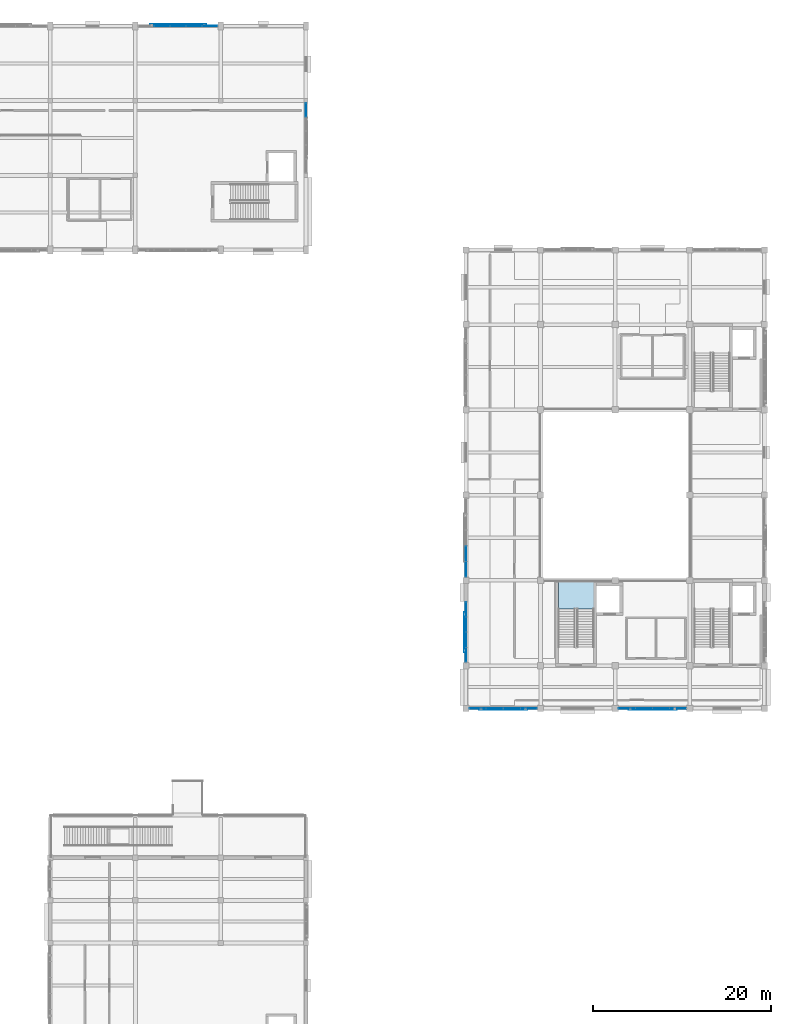
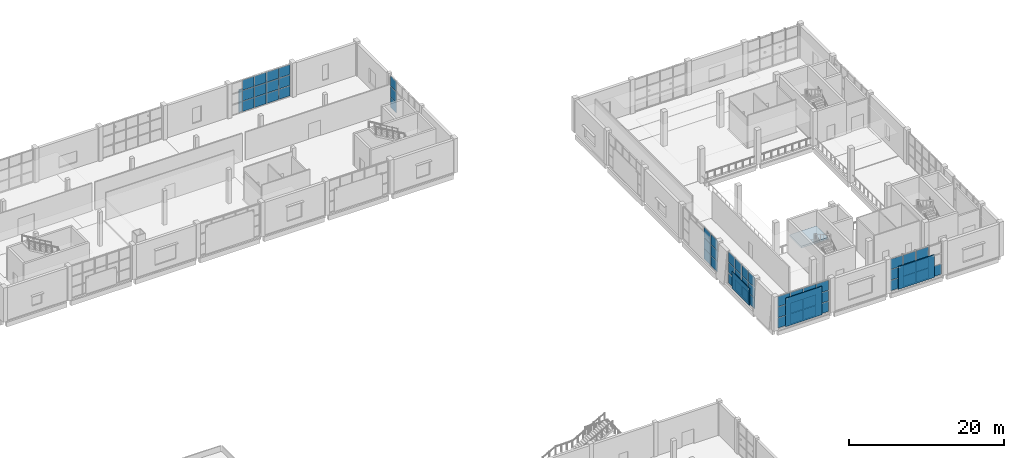
# One storey, part 41 of 72: 59 plates, 1 slab, 7 elements without a shape of their own.
"""IFC4 building model written with IfcOpenShell, lengths in metres."""

from ifc_helpers import new_model, si_unit, direction, frame, origin, origin_2d, place, context, subcontext, project, spatial, polyline, rectangle, outline, extrude, material, layer, layer_set, type_object, element, aggregate, save


model = new_model("IFC4")

# Units and contexts
model_context = context("Model", 3, precision=1e-05, world=origin(), true_north=direction((0.0, 1.0)))
body_context = subcontext(model_context, "Body", "Model", "MODEL_VIEW")
ifc_project = project(units=[si_unit("LENGTHUNIT", "METRE"), si_unit("AREAUNIT", "SQUARE_METRE"), si_unit("VOLUMEUNIT", "CUBIC_METRE"), si_unit("PLANEANGLEUNIT", "RADIAN"), si_unit("MASSUNIT", "GRAM", prefix="KILO")], contexts=[model_context])

# Site, building, storey
site_placement = place(None, origin())
site = spatial("IfcSite", under=ifc_project, at=site_placement, CompositionType="ELEMENT")
building_placement = place(site_placement, origin())
building = spatial("IfcBuilding", under=site, at=building_placement, Name="Shalvenor Court Art Gallery", CompositionType="ELEMENT")
storey_placement = place(building_placement, frame((0.0, 0.0, 11.39990234375)))
storey = spatial("IfcBuildingStorey", under=building, at=storey_placement, Name="L02", CompositionType="ELEMENT", Elevation=11.39990234375)

# Curtain wall, plates
ifc_material_1 = material(Name="Anodised aluminium and low-iron glass curtain wall", Category="aluminium")
curtain_wall_type_1 = type_object("IfcCurtainWallType", Name="CW-4x3-77-51-612", PredefinedType="USERDEFINED", material=ifc_material_1)
curtain_wall_1_placement = place(storey_placement, origin())
curtain_wall_1 = element("IfcCurtainWall", 1, at=curtain_wall_1_placement, inside=storey, type_object=curtain_wall_type_1, Name="L02 V1 Curtain Wall CW-L02-015", ObjectType="CURTAIN WALL", PredefinedType="USERDEFINED")
ifc_material_2 = material(Name="Low-iron triple-silver solar gallery glazing IGU", Category="glass")
ifc_layer_1 = layer(ifc_material_2, 0.031982421875, Name="Low-iron triple-silver solar gallery glazing IGU")
ifc_layer_set_1 = layer_set([ifc_layer_1], Name="Low-iron triple-silver solar gallery glazing IGU")
plate_type_1 = type_object("IfcPlateType", Name="CWP-02", PredefinedType="CURTAIN_PANEL", material=ifc_layer_set_1)
plate_1_placement = place(storey_placement, frame((166.673828125, 45.60009765625, 0.06005859375), z_axis=(0.0, 0.0, 1.0), x_axis=(-1.0, 0.0, 0.0)))
plate_1 = element("IfcPlate", 2, at=plate_1_placement, type_object=plate_type_1, Name="CW-4x3-77-51-612 panel 1.1", PredefinedType="CURTAIN_PANEL", context=body_context, shape_type="SweptSolid", body=[
    extrude(rectangle(XDim=1.842529296875, YDim=0.031982421875, at=origin_2d()), origin(), (0.0, 0.0, 1.0), 1.610107421875),
])
plate_2_placement = place(storey_placement, frame((164.762451171875, 45.60009765625, 0.06005859375), z_axis=(0.0, 0.0, 1.0), x_axis=(-1.0, 0.0, 0.0)))
plate_2 = element("IfcPlate", 3, at=plate_2_placement, type_object=plate_type_1, Name="CW-4x3-77-51-612 panel 2.1", PredefinedType="CURTAIN_PANEL", context=body_context, shape_type="SweptSolid", body=[
    extrude(rectangle(XDim=1.8701171875, YDim=0.031982421875, at=origin_2d()), origin(), (0.0, 0.0, 1.0), 1.610107421875),
])
plate_3_placement = place(storey_placement, frame((164.762451171875, 45.60009765625, 1.72998046875), z_axis=(0.0, 0.0, 1.0), x_axis=(-1.0, 0.0, 0.0)))
plate_3 = element("IfcPlate", 4, at=plate_3_placement, type_object=plate_type_1, Name="CW-4x3-77-51-612 panel 2.2", PredefinedType="CURTAIN_PANEL", context=body_context, shape_type="SweptSolid", body=[
    extrude(rectangle(XDim=1.8701171875, YDim=0.031982421875, at=origin_2d()), origin(), (0.0, 0.0, 1.0), 1.639892578125),
])
plate_4_placement = place(storey_placement, frame((164.762451171875, 45.60009765625, 3.43017578125), z_axis=(0.0, 0.0, 1.0), x_axis=(-1.0, 0.0, 0.0)))
plate_4 = element("IfcPlate", 5, at=plate_4_placement, type_object=plate_type_1, Name="CW-4x3-77-51-612 panel 2.3", PredefinedType="CURTAIN_PANEL", context=body_context, shape_type="SweptSolid", body=[
    extrude(rectangle(XDim=1.8701171875, YDim=0.031982421875, at=origin_2d()), origin(), (0.0, 0.0, 1.0), 1.610107421875),
])
plate_5_placement = place(storey_placement, frame((162.83740234375, 45.60009765625, 0.06005859375), z_axis=(0.0, 0.0, 1.0), x_axis=(-1.0, 0.0, 0.0)))
plate_5 = element("IfcPlate", 6, at=plate_5_placement, type_object=plate_type_1, Name="CW-4x3-77-51-612 panel 3.1", PredefinedType="CURTAIN_PANEL", context=body_context, shape_type="SweptSolid", body=[
    extrude(rectangle(XDim=1.8701171875, YDim=0.031982421875, at=origin_2d()), origin(), (0.0, 0.0, 1.0), 1.610107421875),
])
plate_6_placement = place(storey_placement, frame((162.83740234375, 45.60009765625, 1.72998046875), z_axis=(0.0, 0.0, 1.0), x_axis=(-1.0, 0.0, 0.0)))
plate_6 = element("IfcPlate", 7, at=plate_6_placement, type_object=plate_type_1, Name="CW-4x3-77-51-612 panel 3.2", PredefinedType="CURTAIN_PANEL", context=body_context, shape_type="SweptSolid", body=[
    extrude(rectangle(XDim=1.8701171875, YDim=0.031982421875, at=origin_2d()), origin(), (0.0, 0.0, 1.0), 1.639892578125),
])
plate_7_placement = place(storey_placement, frame((162.83740234375, 45.60009765625, 3.43017578125), z_axis=(0.0, 0.0, 1.0), x_axis=(-1.0, 0.0, 0.0)))
plate_7 = element("IfcPlate", 8, at=plate_7_placement, type_object=plate_type_1, Name="CW-4x3-77-51-612 panel 3.3", PredefinedType="CURTAIN_PANEL", context=body_context, shape_type="SweptSolid", body=[
    extrude(rectangle(XDim=1.8701171875, YDim=0.031982421875, at=origin_2d()), origin(), (0.0, 0.0, 1.0), 1.610107421875),
])
plate_8_placement = place(storey_placement, frame((160.92626953125, 45.60009765625, 0.06005859375), z_axis=(0.0, 0.0, 1.0), x_axis=(-1.0, 0.0, 0.0)))
plate_8 = element("IfcPlate", 9, at=plate_8_placement, type_object=plate_type_1, Name="CW-4x3-77-51-612 panel 4.1", PredefinedType="CURTAIN_PANEL", context=body_context, shape_type="SweptSolid", body=[
    extrude(rectangle(XDim=1.842529296875, YDim=0.031982421875, at=origin_2d()), origin(), (0.0, 0.0, 1.0), 1.610107421875),
])
plate_9_placement = place(storey_placement, frame((160.92626953125, 45.60009765625, 1.72998046875), z_axis=(0.0, 0.0, 1.0), x_axis=(-1.0, 0.0, 0.0)))
plate_9 = element("IfcPlate", 10, at=plate_9_placement, type_object=plate_type_1, Name="CW-4x3-77-51-612 panel 4.2", PredefinedType="CURTAIN_PANEL", context=body_context, shape_type="SweptSolid", body=[
    extrude(rectangle(XDim=1.842529296875, YDim=0.031982421875, at=origin_2d()), origin(), (0.0, 0.0, 1.0), 1.639892578125),
])
plate_10_placement = place(storey_placement, frame((160.92626953125, 45.60009765625, 3.43017578125), z_axis=(0.0, 0.0, 1.0), x_axis=(-1.0, 0.0, 0.0)))
plate_10 = element("IfcPlate", 11, at=plate_10_placement, type_object=plate_type_1, Name="CW-4x3-77-51-612 panel 4.3", PredefinedType="CURTAIN_PANEL", context=body_context, shape_type="SweptSolid", body=[
    extrude(rectangle(XDim=1.842529296875, YDim=0.031982421875, at=origin_2d()), origin(), (0.0, 0.0, 1.0), 1.610107421875),
])
aggregate(curtain_wall_1, [plate_1, plate_2, plate_3, plate_4, plate_5, plate_6, plate_7, plate_8, plate_9, plate_10])

ifc_material_3 = material(Name="Anodised aluminium and low-iron glass curtain wall", Category="aluminium")
curtain_wall_type_2 = type_object("IfcCurtainWallType", Name="CW-4x3-77-51-122", PredefinedType="USERDEFINED", material=ifc_material_3)
curtain_wall_2_placement = place(storey_placement, origin())
curtain_wall_2 = element("IfcCurtainWall", 12, at=curtain_wall_2_placement, inside=storey, type_object=curtain_wall_type_2, Name="L02 V1 Curtain Wall CW-L02-016", ObjectType="CURTAIN WALL", PredefinedType="USERDEFINED")
plate_11_placement = place(storey_placement, frame((149.871337890625, 45.60009765625, 0.065185546875), z_axis=(0.0, 0.0, 1.0), x_axis=(-1.0, 0.0, 0.0)))
plate_11 = element("IfcPlate", 13, at=plate_11_placement, type_object=plate_type_1, Name="CW-4x3-77-51-122 panel 1.1", PredefinedType="CURTAIN_PANEL", context=body_context, shape_type="SweptSolid", body=[
    extrude(rectangle(XDim=1.827392578125, YDim=0.031982421875, at=origin_2d()), origin(), (0.0, 0.0, 1.0), 1.6025390625),
])
plate_12_placement = place(storey_placement, frame((149.871337890625, 45.60009765625, 1.732421875), z_axis=(0.0, 0.0, 1.0), x_axis=(-1.0, 0.0, 0.0)))
plate_12 = element("IfcPlate", 14, at=plate_12_placement, type_object=plate_type_1, Name="CW-4x3-77-51-122 panel 1.2", PredefinedType="CURTAIN_PANEL", context=body_context, shape_type="SweptSolid", body=[
    extrude(rectangle(XDim=1.827392578125, YDim=0.031982421875, at=origin_2d()), origin(), (0.0, 0.0, 1.0), 1.635009765625),
])
plate_13_placement = place(storey_placement, frame((149.871337890625, 45.60009765625, 3.4326171875), z_axis=(0.0, 0.0, 1.0), x_axis=(-1.0, 0.0, 0.0)))
plate_13 = element("IfcPlate", 15, at=plate_13_placement, type_object=plate_type_1, Name="CW-4x3-77-51-122 panel 1.3", PredefinedType="CURTAIN_PANEL", context=body_context, shape_type="SweptSolid", body=[
    extrude(rectangle(XDim=1.827392578125, YDim=0.031982421875, at=origin_2d()), origin(), (0.0, 0.0, 1.0), 1.6025390625),
])
plate_14_placement = place(storey_placement, frame((147.96240234375, 45.60009765625, 0.065185546875), z_axis=(0.0, 0.0, 1.0), x_axis=(-1.0, 0.0, 0.0)))
plate_14 = element("IfcPlate", 16, at=plate_14_placement, type_object=plate_type_1, Name="CW-4x3-77-51-122 panel 2.1", PredefinedType="CURTAIN_PANEL", context=body_context, shape_type="SweptSolid", body=[
    extrude(rectangle(XDim=1.860107421875, YDim=0.031982421875, at=origin_2d()), origin(), (0.0, 0.0, 1.0), 1.6025390625),
])
plate_15_placement = place(storey_placement, frame((147.96240234375, 45.60009765625, 1.732421875), z_axis=(0.0, 0.0, 1.0), x_axis=(-1.0, 0.0, 0.0)))
plate_15 = element("IfcPlate", 17, at=plate_15_placement, type_object=plate_type_1, Name="CW-4x3-77-51-122 panel 2.2", PredefinedType="CURTAIN_PANEL", context=body_context, shape_type="SweptSolid", body=[
    extrude(rectangle(XDim=1.860107421875, YDim=0.031982421875, at=origin_2d()), origin(), (0.0, 0.0, 1.0), 1.635009765625),
])
plate_16_placement = place(storey_placement, frame((147.96240234375, 45.60009765625, 3.4326171875), z_axis=(0.0, 0.0, 1.0), x_axis=(-1.0, 0.0, 0.0)))
plate_16 = element("IfcPlate", 18, at=plate_16_placement, type_object=plate_type_1, Name="CW-4x3-77-51-122 panel 2.3", PredefinedType="CURTAIN_PANEL", context=body_context, shape_type="SweptSolid", body=[
    extrude(rectangle(XDim=1.860107421875, YDim=0.031982421875, at=origin_2d()), origin(), (0.0, 0.0, 1.0), 1.6025390625),
])
plate_17_placement = place(storey_placement, frame((146.03759765625, 45.60009765625, 0.065185546875), z_axis=(0.0, 0.0, 1.0), x_axis=(-1.0, 0.0, 0.0)))
plate_17 = element("IfcPlate", 19, at=plate_17_placement, type_object=plate_type_1, Name="CW-4x3-77-51-122 panel 3.1", PredefinedType="CURTAIN_PANEL", context=body_context, shape_type="SweptSolid", body=[
    extrude(rectangle(XDim=1.860107421875, YDim=0.031982421875, at=origin_2d()), origin(), (0.0, 0.0, 1.0), 1.6025390625),
])
plate_18_placement = place(storey_placement, frame((146.03759765625, 45.60009765625, 1.732421875), z_axis=(0.0, 0.0, 1.0), x_axis=(-1.0, 0.0, 0.0)))
plate_18 = element("IfcPlate", 20, at=plate_18_placement, type_object=plate_type_1, Name="CW-4x3-77-51-122 panel 3.2", PredefinedType="CURTAIN_PANEL", context=body_context, shape_type="SweptSolid", body=[
    extrude(rectangle(XDim=1.860107421875, YDim=0.031982421875, at=origin_2d()), origin(), (0.0, 0.0, 1.0), 1.635009765625),
])
plate_19_placement = place(storey_placement, frame((146.03759765625, 45.60009765625, 3.4326171875), z_axis=(0.0, 0.0, 1.0), x_axis=(-1.0, 0.0, 0.0)))
plate_19 = element("IfcPlate", 21, at=plate_19_placement, type_object=plate_type_1, Name="CW-4x3-77-51-122 panel 3.3", PredefinedType="CURTAIN_PANEL", context=body_context, shape_type="SweptSolid", body=[
    extrude(rectangle(XDim=1.860107421875, YDim=0.031982421875, at=origin_2d()), origin(), (0.0, 0.0, 1.0), 1.6025390625),
])
plate_20_placement = place(storey_placement, frame((144.128662109375, 45.60009765625, 0.065185546875), z_axis=(0.0, 0.0, 1.0), x_axis=(-1.0, 0.0, 0.0)))
plate_20 = element("IfcPlate", 22, at=plate_20_placement, type_object=plate_type_1, Name="CW-4x3-77-51-122 panel 4.1", PredefinedType="CURTAIN_PANEL", context=body_context, shape_type="SweptSolid", body=[
    extrude(rectangle(XDim=1.827392578125, YDim=0.031982421875, at=origin_2d()), origin(), (0.0, 0.0, 1.0), 1.6025390625),
])
plate_21_placement = place(storey_placement, frame((144.128662109375, 45.60009765625, 1.732421875), z_axis=(0.0, 0.0, 1.0), x_axis=(-1.0, 0.0, 0.0)))
plate_21 = element("IfcPlate", 23, at=plate_21_placement, type_object=plate_type_1, Name="CW-4x3-77-51-122 panel 4.2", PredefinedType="CURTAIN_PANEL", context=body_context, shape_type="SweptSolid", body=[
    extrude(rectangle(XDim=1.827392578125, YDim=0.031982421875, at=origin_2d()), origin(), (0.0, 0.0, 1.0), 1.635009765625),
])
plate_22_placement = place(storey_placement, frame((144.128662109375, 45.60009765625, 3.4326171875), z_axis=(0.0, 0.0, 1.0), x_axis=(-1.0, 0.0, 0.0)))
plate_22 = element("IfcPlate", 24, at=plate_22_placement, type_object=plate_type_1, Name="CW-4x3-77-51-122 panel 4.3", PredefinedType="CURTAIN_PANEL", context=body_context, shape_type="SweptSolid", body=[
    extrude(rectangle(XDim=1.827392578125, YDim=0.031982421875, at=origin_2d()), origin(), (0.0, 0.0, 1.0), 1.6025390625),
])
aggregate(curtain_wall_2, [plate_11, plate_12, plate_13, plate_14, plate_15, plate_16, plate_17, plate_18, plate_19, plate_20, plate_21, plate_22])

ifc_material_4 = material(Name="Anodised aluminium and low-iron glass curtain wall", Category="aluminium")
curtain_wall_type_3 = type_object("IfcCurtainWallType", Name="CW-4x3-68-51-242", PredefinedType="USERDEFINED", material=ifc_material_4)
curtain_wall_3_placement = place(storey_placement, origin())
curtain_wall_3 = element("IfcCurtainWall", 25, at=curtain_wall_3_placement, inside=storey, type_object=curtain_wall_type_3, Name="L02 V1 Curtain Wall CW-L02-017", ObjectType="CURTAIN WALL", PredefinedType="USERDEFINED")
plate_23_placement = place(storey_placement, frame((142.800048828125, 51.623779296875, 0.0703125), z_axis=(0.0, 0.0, 1.0), x_axis=(0.0, 1.0, 0.0)))
plate_23 = element("IfcPlate", 26, at=plate_23_placement, type_object=plate_type_1, Name="CW-4x3-68-51-242 panel 1.1", PredefinedType="CURTAIN_PANEL", context=body_context, shape_type="SweptSolid", body=[
    extrude(rectangle(XDim=1.607421875, YDim=0.031982421875, at=origin_2d()), origin(), (0.0, 0.0, 1.0), 1.594970703125),
])
plate_24_placement = place(storey_placement, frame((142.800048828125, 51.623779296875, 1.735107421875), z_axis=(0.0, 0.0, 1.0), x_axis=(0.0, 1.0, 0.0)))
plate_24 = element("IfcPlate", 27, at=plate_24_placement, type_object=plate_type_1, Name="CW-4x3-68-51-242 panel 1.2", PredefinedType="CURTAIN_PANEL", context=body_context, shape_type="SweptSolid", body=[
    extrude(rectangle(XDim=1.607421875, YDim=0.031982421875, at=origin_2d()), origin(), (0.0, 0.0, 1.0), 1.6298828125),
])
plate_25_placement = place(storey_placement, frame((142.800048828125, 51.623779296875, 3.43505859375), z_axis=(0.0, 0.0, 1.0), x_axis=(0.0, 1.0, 0.0)))
plate_25 = element("IfcPlate", 28, at=plate_25_placement, type_object=plate_type_1, Name="CW-4x3-68-51-242 panel 1.3", PredefinedType="CURTAIN_PANEL", context=body_context, shape_type="SweptSolid", body=[
    extrude(rectangle(XDim=1.607421875, YDim=0.031982421875, at=origin_2d()), origin(), (0.0, 0.0, 1.0), 1.594970703125),
])
plate_26_placement = place(storey_placement, frame((142.800048828125, 53.31884765625, 0.0703125), z_axis=(0.0, 0.0, 1.0), x_axis=(0.0, 1.0, 0.0)))
plate_26 = element("IfcPlate", 29, at=plate_26_placement, type_object=plate_type_1, Name="CW-4x3-68-51-242 panel 2.1", PredefinedType="CURTAIN_PANEL", context=body_context, shape_type="SweptSolid", body=[
    extrude(rectangle(XDim=1.642578125, YDim=0.031982421875, at=origin_2d()), origin(), (0.0, 0.0, 1.0), 1.594970703125),
])
plate_27_placement = place(storey_placement, frame((142.800048828125, 53.31884765625, 1.735107421875), z_axis=(0.0, 0.0, 1.0), x_axis=(0.0, 1.0, 0.0)))
plate_27 = element("IfcPlate", 30, at=plate_27_placement, type_object=plate_type_1, Name="CW-4x3-68-51-242 panel 2.2", PredefinedType="CURTAIN_PANEL", context=body_context, shape_type="SweptSolid", body=[
    extrude(rectangle(XDim=1.642578125, YDim=0.031982421875, at=origin_2d()), origin(), (0.0, 0.0, 1.0), 1.6298828125),
])
plate_28_placement = place(storey_placement, frame((142.800048828125, 53.31884765625, 3.43505859375), z_axis=(0.0, 0.0, 1.0), x_axis=(0.0, 1.0, 0.0)))
plate_28 = element("IfcPlate", 31, at=plate_28_placement, type_object=plate_type_1, Name="CW-4x3-68-51-242 panel 2.3", PredefinedType="CURTAIN_PANEL", context=body_context, shape_type="SweptSolid", body=[
    extrude(rectangle(XDim=1.642578125, YDim=0.031982421875, at=origin_2d()), origin(), (0.0, 0.0, 1.0), 1.594970703125),
])
plate_29_placement = place(storey_placement, frame((142.800048828125, 55.03125, 0.0703125), z_axis=(0.0, 0.0, 1.0), x_axis=(0.0, 1.0, 0.0)))
plate_29 = element("IfcPlate", 32, at=plate_29_placement, type_object=plate_type_1, Name="CW-4x3-68-51-242 panel 3.1", PredefinedType="CURTAIN_PANEL", context=body_context, shape_type="SweptSolid", body=[
    extrude(rectangle(XDim=1.642578125, YDim=0.031982421875, at=origin_2d()), origin(), (0.0, 0.0, 1.0), 1.594970703125),
])
plate_30_placement = place(storey_placement, frame((142.800048828125, 55.03125, 1.735107421875), z_axis=(0.0, 0.0, 1.0), x_axis=(0.0, 1.0, 0.0)))
plate_30 = element("IfcPlate", 33, at=plate_30_placement, type_object=plate_type_1, Name="CW-4x3-68-51-242 panel 3.2", PredefinedType="CURTAIN_PANEL", context=body_context, shape_type="SweptSolid", body=[
    extrude(rectangle(XDim=1.642578125, YDim=0.031982421875, at=origin_2d()), origin(), (0.0, 0.0, 1.0), 1.6298828125),
])
plate_31_placement = place(storey_placement, frame((142.800048828125, 55.03125, 3.43505859375), z_axis=(0.0, 0.0, 1.0), x_axis=(0.0, 1.0, 0.0)))
plate_31 = element("IfcPlate", 34, at=plate_31_placement, type_object=plate_type_1, Name="CW-4x3-68-51-242 panel 3.3", PredefinedType="CURTAIN_PANEL", context=body_context, shape_type="SweptSolid", body=[
    extrude(rectangle(XDim=1.642578125, YDim=0.031982421875, at=origin_2d()), origin(), (0.0, 0.0, 1.0), 1.594970703125),
])
plate_32_placement = place(storey_placement, frame((142.800048828125, 56.726318359375, 0.0703125), z_axis=(0.0, 0.0, 1.0), x_axis=(0.0, 1.0, 0.0)))
plate_32 = element("IfcPlate", 35, at=plate_32_placement, type_object=plate_type_1, Name="CW-4x3-68-51-242 panel 4.1", PredefinedType="CURTAIN_PANEL", context=body_context, shape_type="SweptSolid", body=[
    extrude(rectangle(XDim=1.607421875, YDim=0.031982421875, at=origin_2d()), origin(), (0.0, 0.0, 1.0), 1.594970703125),
])
plate_33_placement = place(storey_placement, frame((142.800048828125, 56.726318359375, 1.735107421875), z_axis=(0.0, 0.0, 1.0), x_axis=(0.0, 1.0, 0.0)))
plate_33 = element("IfcPlate", 36, at=plate_33_placement, type_object=plate_type_1, Name="CW-4x3-68-51-242 panel 4.2", PredefinedType="CURTAIN_PANEL", context=body_context, shape_type="SweptSolid", body=[
    extrude(rectangle(XDim=1.607421875, YDim=0.031982421875, at=origin_2d()), origin(), (0.0, 0.0, 1.0), 1.6298828125),
])
plate_34_placement = place(storey_placement, frame((142.800048828125, 56.726318359375, 3.43505859375), z_axis=(0.0, 0.0, 1.0), x_axis=(0.0, 1.0, 0.0)))
plate_34 = element("IfcPlate", 37, at=plate_34_placement, type_object=plate_type_1, Name="CW-4x3-68-51-242 panel 4.3", PredefinedType="CURTAIN_PANEL", context=body_context, shape_type="SweptSolid", body=[
    extrude(rectangle(XDim=1.607421875, YDim=0.031982421875, at=origin_2d()), origin(), (0.0, 0.0, 1.0), 1.594970703125),
])
aggregate(curtain_wall_3, [plate_23, plate_24, plate_25, plate_26, plate_27, plate_28, plate_29, plate_30, plate_31, plate_32, plate_33, plate_34])

ifc_material_5 = material(Name="Anodised aluminium and low-iron glass curtain wall", Category="aluminium")
curtain_wall_type_4 = type_object("IfcCurtainWallType", Name="CW-5x3-89-51-412", PredefinedType="USERDEFINED", material=ifc_material_5)
curtain_wall_4_placement = place(storey_placement, origin())
curtain_wall_4 = element("IfcCurtainWall", 38, at=curtain_wall_4_placement, inside=storey, type_object=curtain_wall_type_4, Name="L02 V1 Curtain Wall CW-L02-018", ObjectType="CURTAIN WALL", PredefinedType="USERDEFINED")
plate_35_placement = place(storey_placement, frame((142.800048828125, 61.2587890625, 0.06005859375), z_axis=(0.0, 0.0, 1.0), x_axis=(0.0, 1.0, 0.0)))
plate_35 = element("IfcPlate", 39, at=plate_35_placement, type_object=plate_type_1, Name="CW-5x3-89-51-412 panel 1.1", PredefinedType="CURTAIN_PANEL", context=body_context, shape_type="SweptSolid", body=[
    extrude(rectangle(XDim=1.66748046875, YDim=0.031982421875, at=origin_2d()), origin(), (0.0, 0.0, 1.0), 1.610107421875),
])
plate_36_placement = place(storey_placement, frame((142.800048828125, 61.2587890625, 1.72998046875), z_axis=(0.0, 0.0, 1.0), x_axis=(0.0, 1.0, 0.0)))
plate_36 = element("IfcPlate", 40, at=plate_36_placement, type_object=plate_type_1, Name="CW-5x3-89-51-412 panel 1.2", PredefinedType="CURTAIN_PANEL", context=body_context, shape_type="SweptSolid", body=[
    extrude(rectangle(XDim=1.66748046875, YDim=0.031982421875, at=origin_2d()), origin(), (0.0, 0.0, 1.0), 1.639892578125),
])
plate_37_placement = place(storey_placement, frame((142.800048828125, 61.2587890625, 3.43017578125), z_axis=(0.0, 0.0, 1.0), x_axis=(0.0, 1.0, 0.0)))
plate_37 = element("IfcPlate", 41, at=plate_37_placement, type_object=plate_type_1, Name="CW-5x3-89-51-412 panel 1.3", PredefinedType="CURTAIN_PANEL", context=body_context, shape_type="SweptSolid", body=[
    extrude(rectangle(XDim=1.66748046875, YDim=0.031982421875, at=origin_2d()), origin(), (0.0, 0.0, 1.0), 1.610107421875),
])
plate_38_placement = place(storey_placement, frame((142.800048828125, 63.02001953125, 0.06005859375), z_axis=(0.0, 0.0, 1.0), x_axis=(0.0, 1.0, 0.0)))
plate_38 = element("IfcPlate", 42, at=plate_38_placement, type_object=plate_type_1, Name="CW-5x3-89-51-412 panel 2.1", PredefinedType="CURTAIN_PANEL", context=body_context, shape_type="SweptSolid", body=[
    extrude(rectangle(XDim=1.705078125, YDim=0.031982421875, at=origin_2d()), origin(), (0.0, 0.0, 1.0), 1.610107421875),
])
plate_39_placement = place(storey_placement, frame((142.800048828125, 63.02001953125, 1.72998046875), z_axis=(0.0, 0.0, 1.0), x_axis=(0.0, 1.0, 0.0)))
plate_39 = element("IfcPlate", 43, at=plate_39_placement, type_object=plate_type_1, Name="CW-5x3-89-51-412 panel 2.2", PredefinedType="CURTAIN_PANEL", context=body_context, shape_type="SweptSolid", body=[
    extrude(rectangle(XDim=1.705078125, YDim=0.031982421875, at=origin_2d()), origin(), (0.0, 0.0, 1.0), 1.639892578125),
])
plate_40_placement = place(storey_placement, frame((142.800048828125, 63.02001953125, 3.43017578125), z_axis=(0.0, 0.0, 1.0), x_axis=(0.0, 1.0, 0.0)))
plate_40 = element("IfcPlate", 44, at=plate_40_placement, type_object=plate_type_1, Name="CW-5x3-89-51-412 panel 2.3", PredefinedType="CURTAIN_PANEL", context=body_context, shape_type="SweptSolid", body=[
    extrude(rectangle(XDim=1.705078125, YDim=0.031982421875, at=origin_2d()), origin(), (0.0, 0.0, 1.0), 1.610107421875),
])
aggregate(curtain_wall_4, [plate_35, plate_36, plate_37, plate_38, plate_39, plate_40])

ifc_material_6 = material(Name="Anodised aluminium and low-iron glass curtain wall", Category="aluminium")
curtain_wall_type_5 = type_object("IfcCurtainWallType", Name="CW-5x3-90-51-442", PredefinedType="USERDEFINED", material=ifc_material_6)
curtain_wall_5_placement = place(storey_placement, origin())
curtain_wall_5 = element("IfcCurtainWall", 45, at=curtain_wall_5_placement, inside=storey, type_object=curtain_wall_type_5, Name="L02 V2 Curtain Wall CW-L02-074", ObjectType="CURTAIN WALL", PredefinedType="USERDEFINED")
plate_41_placement = place(storey_placement, frame((108.60009765625, 122.39990234375, 0.0703125), z_axis=(0.0, 0.0, 1.0), x_axis=(1.0, 0.0, 0.0)))
plate_41 = element("IfcPlate", 46, at=plate_41_placement, type_object=plate_type_1, Name="CW-5x3-90-51-442 panel 2.1", PredefinedType="CURTAIN_PANEL", context=body_context, shape_type="SweptSolid", body=[
    extrude(rectangle(XDim=1.72509765625, YDim=0.031982421875, at=origin_2d()), origin(), (0.0, 0.0, 1.0), 1.594970703125),
])
plate_42_placement = place(storey_placement, frame((108.60009765625, 122.39990234375, 1.735107421875), z_axis=(0.0, 0.0, 1.0), x_axis=(1.0, 0.0, 0.0)))
plate_42 = element("IfcPlate", 47, at=plate_42_placement, type_object=plate_type_1, Name="CW-5x3-90-51-442 panel 2.2", PredefinedType="CURTAIN_PANEL", context=body_context, shape_type="SweptSolid", body=[
    extrude(rectangle(XDim=1.72509765625, YDim=0.031982421875, at=origin_2d()), origin(), (0.0, 0.0, 1.0), 1.6298828125),
])
plate_43_placement = place(storey_placement, frame((108.60009765625, 122.39990234375, 3.43505859375), z_axis=(0.0, 0.0, 1.0), x_axis=(1.0, 0.0, 0.0)))
plate_43 = element("IfcPlate", 48, at=plate_43_placement, type_object=plate_type_1, Name="CW-5x3-90-51-442 panel 2.3", PredefinedType="CURTAIN_PANEL", context=body_context, shape_type="SweptSolid", body=[
    extrude(rectangle(XDim=1.72509765625, YDim=0.031982421875, at=origin_2d()), origin(), (0.0, 0.0, 1.0), 1.594970703125),
])
plate_44_placement = place(storey_placement, frame((110.39990234375, 122.39990234375, 0.0703125), z_axis=(0.0, 0.0, 1.0), x_axis=(1.0, 0.0, 0.0)))
plate_44 = element("IfcPlate", 49, at=plate_44_placement, type_object=plate_type_1, Name="CW-5x3-90-51-442 panel 3.1", PredefinedType="CURTAIN_PANEL", context=body_context, shape_type="SweptSolid", body=[
    extrude(rectangle(XDim=1.72509765625, YDim=0.031982421875, at=origin_2d()), origin(), (0.0, 0.0, 1.0), 1.594970703125),
])
plate_45_placement = place(storey_placement, frame((110.39990234375, 122.39990234375, 1.735107421875), z_axis=(0.0, 0.0, 1.0), x_axis=(1.0, 0.0, 0.0)))
plate_45 = element("IfcPlate", 50, at=plate_45_placement, type_object=plate_type_1, Name="CW-5x3-90-51-442 panel 3.2", PredefinedType="CURTAIN_PANEL", context=body_context, shape_type="SweptSolid", body=[
    extrude(rectangle(XDim=1.72509765625, YDim=0.031982421875, at=origin_2d()), origin(), (0.0, 0.0, 1.0), 1.6298828125),
])
plate_46_placement = place(storey_placement, frame((110.39990234375, 122.39990234375, 3.43505859375), z_axis=(0.0, 0.0, 1.0), x_axis=(1.0, 0.0, 0.0)))
plate_46 = element("IfcPlate", 51, at=plate_46_placement, type_object=plate_type_1, Name="CW-5x3-90-51-442 panel 3.3", PredefinedType="CURTAIN_PANEL", context=body_context, shape_type="SweptSolid", body=[
    extrude(rectangle(XDim=1.72509765625, YDim=0.031982421875, at=origin_2d()), origin(), (0.0, 0.0, 1.0), 1.594970703125),
])
plate_47_placement = place(storey_placement, frame((112.199951171875, 122.39990234375, 0.0703125), z_axis=(0.0, 0.0, 1.0), x_axis=(1.0, 0.0, 0.0)))
plate_47 = element("IfcPlate", 52, at=plate_47_placement, type_object=plate_type_1, Name="CW-5x3-90-51-442 panel 4.1", PredefinedType="CURTAIN_PANEL", context=body_context, shape_type="SweptSolid", body=[
    extrude(rectangle(XDim=1.72509765625, YDim=0.031982421875, at=origin_2d()), origin(), (0.0, 0.0, 1.0), 1.594970703125),
])
plate_48_placement = place(storey_placement, frame((112.199951171875, 122.39990234375, 1.735107421875), z_axis=(0.0, 0.0, 1.0), x_axis=(1.0, 0.0, 0.0)))
plate_48 = element("IfcPlate", 53, at=plate_48_placement, type_object=plate_type_1, Name="CW-5x3-90-51-442 panel 4.2", PredefinedType="CURTAIN_PANEL", context=body_context, shape_type="SweptSolid", body=[
    extrude(rectangle(XDim=1.72509765625, YDim=0.031982421875, at=origin_2d()), origin(), (0.0, 0.0, 1.0), 1.6298828125),
])
plate_49_placement = place(storey_placement, frame((112.199951171875, 122.39990234375, 3.43505859375), z_axis=(0.0, 0.0, 1.0), x_axis=(1.0, 0.0, 0.0)))
plate_49 = element("IfcPlate", 54, at=plate_49_placement, type_object=plate_type_1, Name="CW-5x3-90-51-442 panel 4.3", PredefinedType="CURTAIN_PANEL", context=body_context, shape_type="SweptSolid", body=[
    extrude(rectangle(XDim=1.72509765625, YDim=0.031982421875, at=origin_2d()), origin(), (0.0, 0.0, 1.0), 1.594970703125),
])
plate_50_placement = place(storey_placement, frame((113.981201171875, 122.39990234375, 0.0703125), z_axis=(0.0, 0.0, 1.0), x_axis=(1.0, 0.0, 0.0)))
plate_50 = element("IfcPlate", 55, at=plate_50_placement, type_object=plate_type_1, Name="CW-5x3-90-51-442 panel 5.1", PredefinedType="CURTAIN_PANEL", context=body_context, shape_type="SweptSolid", body=[
    extrude(rectangle(XDim=1.6875, YDim=0.031982421875, at=origin_2d()), origin(), (0.0, 0.0, 1.0), 1.594970703125),
])
plate_51_placement = place(storey_placement, frame((113.981201171875, 122.39990234375, 1.735107421875), z_axis=(0.0, 0.0, 1.0), x_axis=(1.0, 0.0, 0.0)))
plate_51 = element("IfcPlate", 56, at=plate_51_placement, type_object=plate_type_1, Name="CW-5x3-90-51-442 panel 5.2", PredefinedType="CURTAIN_PANEL", context=body_context, shape_type="SweptSolid", body=[
    extrude(rectangle(XDim=1.6875, YDim=0.031982421875, at=origin_2d()), origin(), (0.0, 0.0, 1.0), 1.6298828125),
])
plate_52_placement = place(storey_placement, frame((113.981201171875, 122.39990234375, 3.43505859375), z_axis=(0.0, 0.0, 1.0), x_axis=(1.0, 0.0, 0.0)))
plate_52 = element("IfcPlate", 57, at=plate_52_placement, type_object=plate_type_1, Name="CW-5x3-90-51-442 panel 5.3", PredefinedType="CURTAIN_PANEL", context=body_context, shape_type="SweptSolid", body=[
    extrude(rectangle(XDim=1.6875, YDim=0.031982421875, at=origin_2d()), origin(), (0.0, 0.0, 1.0), 1.594970703125),
])
aggregate(curtain_wall_5, [plate_41, plate_42, plate_43, plate_44, plate_45, plate_46, plate_47, plate_48, plate_49, plate_50, plate_51, plate_52])

ifc_material_7 = material(Name="Anodised aluminium and low-iron glass curtain wall", Category="aluminium")
curtain_wall_type_6 = type_object("IfcCurtainWallType", Name="CW-5x3-79-51-612", PredefinedType="USERDEFINED", material=ifc_material_7)
curtain_wall_6_placement = place(storey_placement, origin())
curtain_wall_6 = element("IfcCurtainWall", 58, at=curtain_wall_6_placement, inside=storey, type_object=curtain_wall_type_6, Name="L02 V2 Curtain Wall CW-L02-075", ObjectType="CURTAIN WALL", PredefinedType="USERDEFINED")
plate_53_placement = place(storey_placement, frame((124.800048828125, 112.9462890625, 0.06005859375), z_axis=(0.0, 0.0, 1.0), x_axis=(0.0, -1.0, 0.0)))
plate_53 = element("IfcPlate", 59, at=plate_53_placement, type_object=plate_type_1, Name="CW-5x3-79-51-612 panel 1.1", PredefinedType="CURTAIN_PANEL", context=body_context, shape_type="SweptSolid", body=[
    extrude(rectangle(XDim=1.49755859375, YDim=0.031982421875, at=origin_2d()), origin(), (0.0, 0.0, 1.0), 1.610107421875),
])
plate_54_placement = place(storey_placement, frame((124.800048828125, 112.9462890625, 1.72998046875), z_axis=(0.0, 0.0, 1.0), x_axis=(0.0, -1.0, 0.0)))
plate_54 = element("IfcPlate", 60, at=plate_54_placement, type_object=plate_type_1, Name="CW-5x3-79-51-612 panel 1.2", PredefinedType="CURTAIN_PANEL", context=body_context, shape_type="SweptSolid", body=[
    extrude(rectangle(XDim=1.49755859375, YDim=0.031982421875, at=origin_2d()), origin(), (0.0, 0.0, 1.0), 1.639892578125),
])
plate_55_placement = place(storey_placement, frame((124.800048828125, 112.9462890625, 3.43017578125), z_axis=(0.0, 0.0, 1.0), x_axis=(0.0, -1.0, 0.0)))
plate_55 = element("IfcPlate", 61, at=plate_55_placement, type_object=plate_type_1, Name="CW-5x3-79-51-612 panel 1.3", PredefinedType="CURTAIN_PANEL", context=body_context, shape_type="SweptSolid", body=[
    extrude(rectangle(XDim=1.49755859375, YDim=0.031982421875, at=origin_2d()), origin(), (0.0, 0.0, 1.0), 1.610107421875),
])
aggregate(curtain_wall_6, [plate_53, plate_54, plate_55])

# Plates
ifc_material_8 = material(Name="Perforated pale limestone GRC lattice", Category="masonry")
ifc_layer_2 = layer(ifc_material_8, 0.090087890625, Name="Perforated pale limestone GRC lattice")
ifc_layer_set_2 = layer_set([ifc_layer_2], Name="Perforated pale limestone GRC lattice")
plate_type_2 = type_object("IfcPlateType", Name="SCR-03", PredefinedType="USERDEFINED", material=ifc_layer_set_2)
plate_56_placement = place(storey_placement, frame((163.800048828125, 45.487060546875, 0.0), z_axis=(0.0, 0.0, 1.0), x_axis=(-1.0, 0.0, 0.0)))
element("IfcPlate", 62, at=plate_56_placement, inside=storey, type_object=plate_type_2, Name="L02 V1 Perforated Stone Lattice Screen PLT-SCR-0015", ObjectType="SCREEN", PredefinedType="USERDEFINED", context=body_context, shape_type="SweptSolid", body=[
    extrude(rectangle(XDim=5.39990234375, YDim=0.090087890625, at=origin_2d()), origin(), (0.0, 0.0, 1.0), 3.60009765625),
])
ifc_material_9 = material(Name="Perforated pale limestone GRC lattice", Category="masonry")
ifc_layer_3 = layer(ifc_material_9, 0.090087890625, Name="Perforated pale limestone GRC lattice")
ifc_layer_set_3 = layer_set([ifc_layer_3], Name="Perforated pale limestone GRC lattice")
plate_type_3 = type_object("IfcPlateType", Name="SCR-04", PredefinedType="USERDEFINED", material=ifc_layer_set_3)
plate_57_placement = place(storey_placement, frame((147.0, 45.467041015625, 0.0), z_axis=(0.0, 0.0, 1.0), x_axis=(-1.0, 0.0, 0.0)))
element("IfcPlate", 63, at=plate_57_placement, inside=storey, type_object=plate_type_3, Name="L02 V1 Perforated Stone Lattice Screen PLT-SCR-0016", ObjectType="SCREEN", PredefinedType="USERDEFINED", context=body_context, shape_type="SweptSolid", body=[
    extrude(rectangle(XDim=5.39990234375, YDim=0.090087890625, at=origin_2d()), origin(), (0.0, 0.0, 1.0), 4.5),
])
ifc_material_10 = material(Name="Perforated pale limestone GRC lattice", Category="masonry")
ifc_layer_4 = layer(ifc_material_10, 0.090087890625, Name="Perforated pale limestone GRC lattice")
ifc_layer_set_4 = layer_set([ifc_layer_4], Name="Perforated pale limestone GRC lattice")
plate_type_4 = type_object("IfcPlateType", Name="SCR-05", PredefinedType="USERDEFINED", material=ifc_layer_set_4)
plate_58_placement = place(storey_placement, frame((110.39990234375, 122.552978515625, 0.0), z_axis=(0.0, 0.0, 1.0), x_axis=(1.0, 0.0, 0.0)))
element("IfcPlate", 64, at=plate_58_placement, inside=storey, type_object=plate_type_4, Name="L02 V2 Perforated Stone Lattice Screen PLT-SCR-0061", ObjectType="SCREEN", PredefinedType="USERDEFINED", context=body_context, shape_type="SweptSolid", body=[
    extrude(rectangle(XDim=6.300048828125, YDim=0.090087890625, at=origin_2d()), origin(), (0.0, 0.0, 1.0), 3.60009765625),
])
ifc_material_11 = material(Name="Perforated pale limestone GRC lattice", Category="masonry")
ifc_layer_5 = layer(ifc_material_11, 0.090087890625, Name="Perforated pale limestone GRC lattice")
ifc_layer_set_5 = layer_set([ifc_layer_5], Name="Perforated pale limestone GRC lattice")
plate_type_5 = type_object("IfcPlateType", Name="SCR-09", PredefinedType="USERDEFINED", material=ifc_layer_set_5)
plate_59_placement = place(storey_placement, frame((142.656982421875, 54.175048828125, 0.0), z_axis=(0.0, 0.0, 1.0), x_axis=(0.0, 1.0, 0.0)))
element("IfcPlate", 65, at=plate_59_placement, inside=storey, type_object=plate_type_5, Name="L02 V1 Perforated Stone Lattice Screen PLT-SCR-0017", ObjectType="SCREEN", PredefinedType="USERDEFINED", context=body_context, shape_type="SweptSolid", body=[
    extrude(rectangle(XDim=4.5, YDim=0.090087890625, at=origin_2d()), origin(), (0.0, 0.0, 1.0), 2.699951171875),
])

# Stair, slab
ifc_material_12 = material(Name="Concrete C40/50", Category="concrete")
stair_type = type_object("IfcStairType", Name="ST-DL-32R-1900", PredefinedType="HALF_TURN_STAIR", material=ifc_material_12)
stair_placement = place(storey_placement, origin())
stair = element("IfcStair", 66, at=stair_placement, inside=storey, type_object=stair_type, Name="L02 Core Dogleg Stair ST-03", PredefinedType="HALF_TURN_STAIR")
ifc_material_13 = material(Name="Concrete C40/50", Category="concrete")
ifc_layer_6 = layer(ifc_material_13, 0.300048828125, Name="Concrete C40/50")
ifc_layer_set_6 = layer_set([ifc_layer_6], Name="Concrete C40/50")
slab_type = type_object("IfcSlabType", Name="SLD-300", PredefinedType="LANDING", material=ifc_layer_set_6)
slab_placement = place(storey_placement, frame((0.0, 0.0, 2.400146484375)))
slab = element("IfcSlab", 67, at=slab_placement, type_object=slab_type, Name="ST-DL-32R-1900 landing 1", PredefinedType="LANDING", context=body_context, shape_type="SweptSolid", body=[
    extrude(outline(polyline([(157.199951171875, 56.77490234375), (157.199951171875, 59.800048828125), (153.199951171875, 59.800048828125), (153.199951171875, 56.77490234375), (157.199951171875, 56.77490234375)])), origin(), (0.0, 0.0, 1.0), 0.300048828125),
])
aggregate(stair, [slab])

save(model, "model.ifc")
